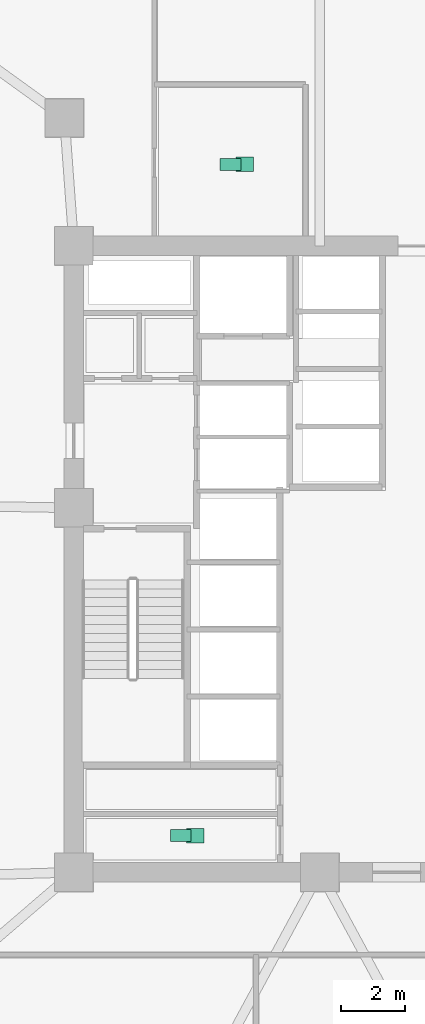
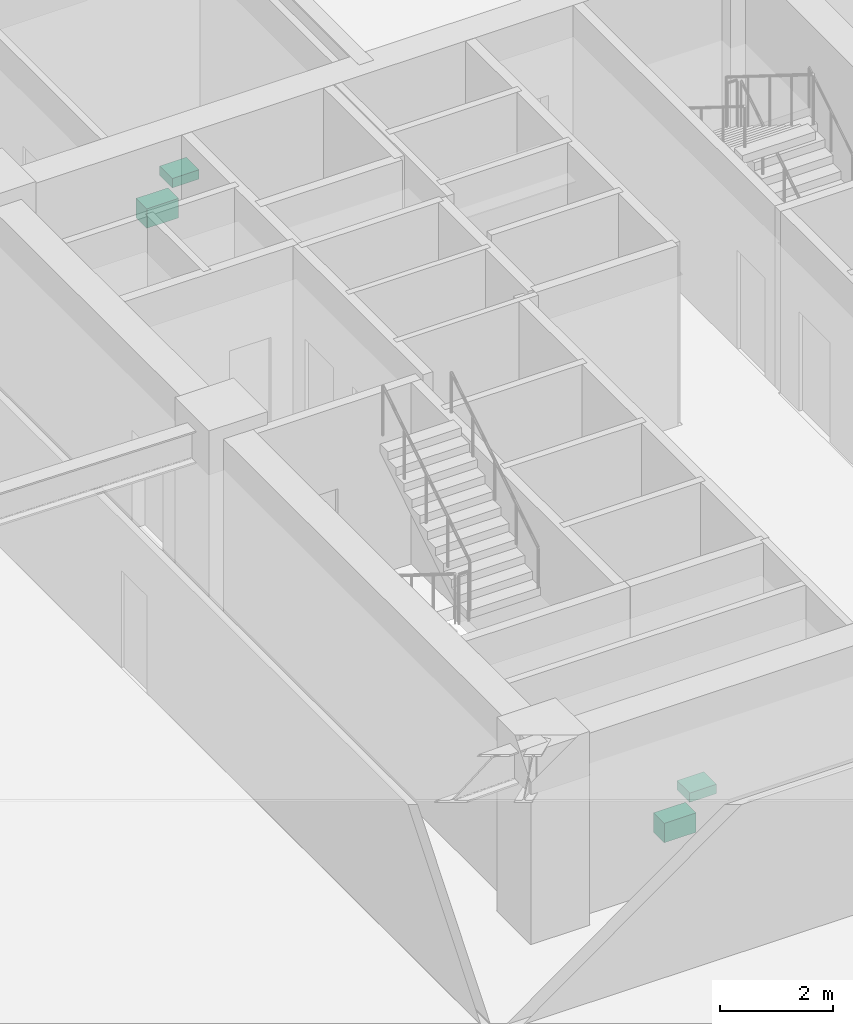
# One storey, part 21 of 21: 4 sanitary terminals.
"""IFC4 building model written with IfcOpenShell, lengths in metres."""

from ifc_helpers import new_model, si_unit, direction, frame, origin, origin_2d, place, context, subcontext, project, spatial, rectangle, extrude, material, type_object, element, save


model = new_model("IFC4")

# Units and contexts
model_context = context("Model", 3, precision=1e-05, world=origin(), true_north=direction((0.0, 1.0)))
body_context = subcontext(model_context, "Body", "Model", "MODEL_VIEW")
ifc_project = project(units=[si_unit("LENGTHUNIT", "METRE"), si_unit("AREAUNIT", "SQUARE_METRE"), si_unit("VOLUMEUNIT", "CUBIC_METRE"), si_unit("PLANEANGLEUNIT", "RADIAN"), si_unit("MASSUNIT", "GRAM", prefix="KILO")], contexts=[model_context])

# Site, building, storey
site_placement = place(None, origin())
site = spatial("IfcSite", under=ifc_project, at=site_placement, CompositionType="ELEMENT")
building_placement = place(site_placement, origin())
building = spatial("IfcBuilding", under=site, at=building_placement, Name="Savorim Split Tower", CompositionType="ELEMENT")
storey_placement = place(building_placement, frame((0.0, 0.0, 5.0)))
storey = spatial("IfcBuildingStorey", under=building, at=storey_placement, Name="L01", CompositionType="ELEMENT", Elevation=5.0)

# Sanitary terminals
ifc_material = material(Name="Vitreous China Sanitaryware")
sanitary_terminal_type_1 = type_object("IfcSanitaryTerminalType", Name="SAN-WC-PAN", PredefinedType="TOILETPAN", material=ifc_material)
for number, where, z_axis, x_axis, name in (
    (1, (-4.35009765625, -8.2548828125, 0.0), (0.0, 0.0, 1.0), (1.0, 0.0, 0.0), "L01 Public WC WC Pan"),
    (2, (-2.800048828125, 12.75, 0.0), (0.0, 0.0, 1.0), (1.0, 0.0, 0.0), "L01 Public WC WC Pan"),
):
    element("IfcSanitaryTerminal", number, at=place(storey_placement, frame(where, z_axis=z_axis, x_axis=x_axis)), inside=storey, type_object=sanitary_terminal_type_1, Name=name, PredefinedType="TOILETPAN", context=body_context, shape_type="SweptSolid", body=[
        extrude(rectangle(XDim=0.64990234375, YDim=0.3798828125, at=origin_2d()), origin(), (0.0, 0.0, 1.0), 0.419921875),
    ])
sanitary_terminal_type_2 = type_object("IfcSanitaryTerminalType", Name="SAN-WHB-550", PredefinedType="WASHHANDBASIN", material=ifc_material)
for number, where, z_axis, x_axis, name in (
    (3, (-3.89990234375, -8.2548828125, 0.72021484375), (0.0, 0.0, 1.0), (1.0, 0.0, 0.0), "L01 Public WC Washhand Basin"),
    (4, (-2.35009765625, 12.75, 0.72021484375), (0.0, 0.0, 1.0), (1.0, 0.0, 0.0), "L01 Public WC Washhand Basin"),
):
    element("IfcSanitaryTerminal", number, at=place(storey_placement, frame(where, z_axis=z_axis, x_axis=x_axis)), inside=storey, type_object=sanitary_terminal_type_2, Name=name, PredefinedType="WASHHANDBASIN", context=body_context, shape_type="SweptSolid", body=[
        extrude(rectangle(XDim=0.550048828125, YDim=0.449951171875, at=origin_2d()), origin(), (0.0, 0.0, 1.0), 0.199951171875),
    ])

save(model, "model.ifc")
